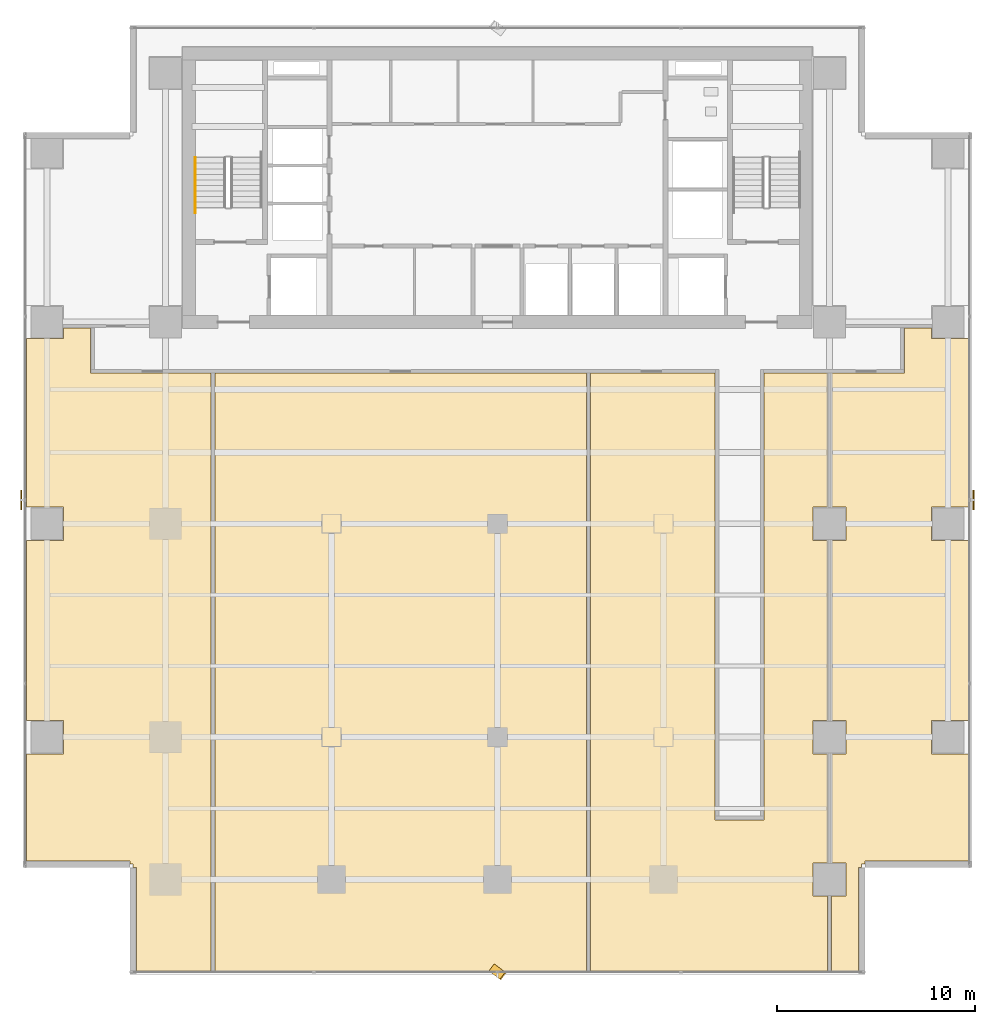
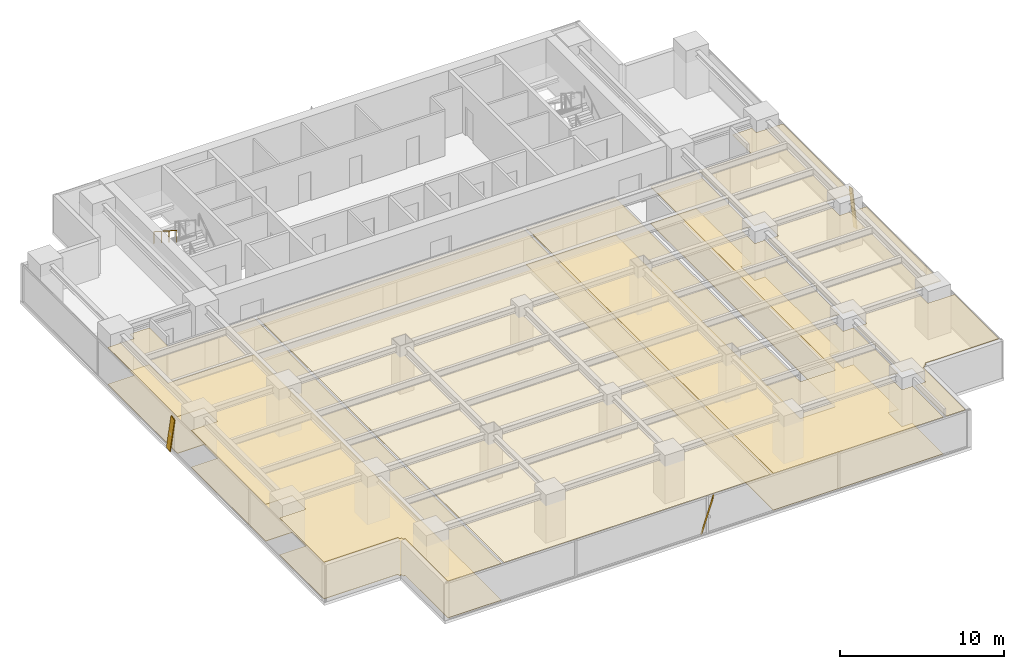
# One storey, part 23 of 27: 6 coverings, 3 shading devices, 1 railing.
"""IFC4 building model written with IfcOpenShell, lengths in metres."""

from ifc_helpers import new_model, si_unit, direction, frame, origin, origin_2d, place, context, subcontext, project, spatial, polyline, rectangle, outline, extrude, source, transform, mapped, material, layer, layer_set, material_profile, profile_set, type_object, element, save


model = new_model("IFC4")

# Units and contexts
model_context = context("Model", 3, precision=1e-05, world=origin(), true_north=direction((0.0, 1.0)))
body_context = subcontext(model_context, "Body", "Model", "MODEL_VIEW")
ifc_project = project(units=[si_unit("LENGTHUNIT", "METRE"), si_unit("AREAUNIT", "SQUARE_METRE"), si_unit("VOLUMEUNIT", "CUBIC_METRE"), si_unit("PLANEANGLEUNIT", "RADIAN"), si_unit("MASSUNIT", "GRAM", prefix="KILO")], contexts=[model_context])

# Site, building, storey
site_placement = place(None, origin())
site = spatial("IfcSite", under=ifc_project, at=site_placement, CompositionType="ELEMENT")
building_placement = place(site_placement, origin())
building = spatial("IfcBuilding", under=site, at=building_placement, Name="Sumidabori Civic Tower", CompositionType="ELEMENT")
storey_placement = place(building_placement, frame((0.0, 0.0, 156.800048828125)))
storey = spatial("IfcBuildingStorey", under=building, at=storey_placement, Name="L40", CompositionType="ELEMENT", Elevation=156.800048828125)

# Coverings
ifc_material_1 = material(Name="Perforated Timber Acoustic Ceiling", Category="wood")
ifc_layer_1 = layer(ifc_material_1, 0.044921875, Name="Perforated Timber Acoustic Ceiling")
ifc_layer_set_1 = layer_set([ifc_layer_1], Name="Perforated Timber Acoustic Ceiling")
covering_type_1 = type_object("IfcCoveringType", Name="CV-CEIL-AC2", PredefinedType="CEILING", material=ifc_layer_set_1)
covering_1_placement = place(storey_placement, frame((0.0, 0.0, 2.72998046875)))
element("IfcCovering", 1, at=covering_1_placement, inside=storey, type_object=covering_type_1, Name="Room Acoustic Ceiling L40-02", PredefinedType="CEILING", context=body_context, shape_type="SweptSolid", body=[
    extrude(outline(polyline([(18.27197265625, -22.6298828125), (16.902587890625, -22.6298828125), (16.902587890625, -18.840087890625), (17.639892578125, -18.840087890625), (17.639892578125, -17.159912109375), (16.902587890625, -17.159912109375), (16.902587890625, -11.639892578125), (17.639892578125, -11.639892578125), (17.639892578125, -9.9599609375), (16.902587890625, -9.9599609375), (16.902587890625, -0.840087890625), (17.639892578125, -0.840087890625), (17.639892578125, 0.840087890625), (16.902587890625, 0.840087890625), (16.902587890625, 7.614990234375), (20.5673828125, 7.614990234375), (20.5849609375, 7.619384765625), (20.5849609375, 9.8974609375), (21.9599609375, 9.8974609375), (21.9599609375, 9.360107421875), (23.830078125, 9.360107421875), (23.830078125, 0.840087890625), (21.9599609375, 0.840087890625), (21.9599609375, -0.840087890625), (23.830078125, -0.840087890625), (23.830078125, -9.9599609375), (21.9599609375, -9.9599609375), (21.9599609375, -11.639892578125), (23.830078125, -11.639892578125), (23.830078125, -17.072021484375), (18.592041015625, -17.072021484375), (18.592041015625, -17.22998046875), (18.429931640625, -17.22998046875), (18.429931640625, -17.39208984375), (18.27197265625, -17.39208984375), (18.27197265625, -22.6298828125)])), origin(), (0.0, 0.0, 1.0), 0.044921875),
])
covering_2_placement = place(storey_placement, frame((0.0, 0.0, 2.72998046875)))
element("IfcCovering", 2, at=covering_2_placement, inside=storey, type_object=covering_type_1, Name="Room Acoustic Ceiling L40-03", PredefinedType="CEILING", context=body_context, shape_type="SweptSolid", body=[
    extrude(outline(polyline([(-23.830078125, -0.840087890625), (-21.9599609375, -0.840087890625), (-21.9599609375, 0.840087890625), (-23.830078125, 0.840087890625), (-23.830078125, 9.360107421875), (-21.9599609375, 9.360107421875), (-21.9599609375, 9.8974609375), (-20.5849609375, 9.8974609375), (-20.5849609375, 7.619384765625), (-20.5673828125, 7.614990234375), (-14.50244140625, 7.614990234375), (-14.50244140625, -22.6298828125), (-18.27197265625, -22.6298828125), (-18.27197265625, -17.39208984375), (-18.429931640625, -17.39208984375), (-18.429931640625, -17.22998046875), (-18.592041015625, -17.22998046875), (-18.592041015625, -17.072021484375), (-23.830078125, -17.072021484375), (-23.830078125, -11.639892578125), (-21.9599609375, -11.639892578125), (-21.9599609375, -9.9599609375), (-23.830078125, -9.9599609375), (-23.830078125, -0.840087890625)])), origin(), (0.0, 0.0, 1.0), 0.044921875),
])
covering_3_placement = place(storey_placement, frame((0.0, 0.0, 2.72998046875)))
element("IfcCovering", 3, at=covering_3_placement, inside=storey, type_object=covering_type_1, Name="Room Acoustic Ceiling L40-04", PredefinedType="CEILING", context=body_context, shape_type="SweptSolid", body=[
    extrude(outline(polyline([(-14.297607421875, 7.614990234375), (4.49755859375, 7.614990234375), (4.49755859375, -22.6298828125), (-14.297607421875, -22.6298828125), (-14.297607421875, 7.614990234375)])), origin(), (0.0, 0.0, 1.0), 0.044921875),
])
covering_4_placement = place(storey_placement, frame((0.0, 0.0, 2.72998046875)))
element("IfcCovering", 4, at=covering_4_placement, inside=storey, type_object=covering_type_1, Name="Room Acoustic Ceiling L40-05", PredefinedType="CEILING", context=body_context, shape_type="SweptSolid", body=[
    extrude(outline(polyline([(4.702392578125, -22.6298828125), (4.702392578125, 7.614990234375), (11.014892578125, 7.614990234375), (11.014892578125, -14.985107421875), (13.485107421875, -14.985107421875), (13.485107421875, 7.614990234375), (16.697509765625, 7.614990234375), (16.697509765625, 0.840087890625), (15.9599609375, 0.840087890625), (15.9599609375, -0.840087890625), (16.697509765625, -0.840087890625), (16.697509765625, -9.9599609375), (15.9599609375, -9.9599609375), (15.9599609375, -11.639892578125), (16.697509765625, -11.639892578125), (16.697509765625, -17.159912109375), (15.9599609375, -17.159912109375), (15.9599609375, -18.840087890625), (16.697509765625, -18.840087890625), (16.697509765625, -22.6298828125), (4.702392578125, -22.6298828125)])), origin(), (0.0, 0.0, 1.0), 0.044921875),
])
ifc_material_2 = material(Name="Honed Terrazzo Tile Flooring")
ifc_layer_2 = layer(ifc_material_2, 0.030029296875, Name="Honed Terrazzo Tile Flooring")
ifc_layer_set_2 = layer_set([ifc_layer_2], Name="Honed Terrazzo Tile Flooring")
covering_type_2 = type_object("IfcCoveringType", Name="CV-FLR-TER", PredefinedType="FLOORING", material=ifc_layer_set_2)
covering_5_placement = place(storey_placement, origin())
element("IfcCovering", 5, at=covering_5_placement, inside=storey, type_object=covering_type_2, Name="Room Terrazzo Floor L40-03", PredefinedType="FLOORING", context=body_context, shape_type="SweptSolid", body=[
    extrude(outline(polyline([(-23.830078125, -0.840087890625), (-21.9599609375, -0.840087890625), (-21.9599609375, 0.840087890625), (-23.830078125, 0.840087890625), (-23.830078125, 9.360107421875), (-21.9599609375, 9.360107421875), (-21.9599609375, 9.8974609375), (-20.5849609375, 9.8974609375), (-20.5849609375, 7.619384765625), (-20.5673828125, 7.614990234375), (-14.50244140625, 7.614990234375), (-14.50244140625, -22.6298828125), (-18.27197265625, -22.6298828125), (-18.27197265625, -17.39208984375), (-18.429931640625, -17.39208984375), (-18.429931640625, -17.22998046875), (-18.592041015625, -17.22998046875), (-18.592041015625, -17.072021484375), (-23.830078125, -17.072021484375), (-23.830078125, -11.639892578125), (-21.9599609375, -11.639892578125), (-21.9599609375, -9.9599609375), (-23.830078125, -9.9599609375), (-23.830078125, -0.840087890625)])), origin(), (0.0, 0.0, 1.0), 0.030029296875),
])
covering_6_placement = place(storey_placement, origin())
element("IfcCovering", 6, at=covering_6_placement, inside=storey, type_object=covering_type_2, Name="Room Terrazzo Floor L40-05", PredefinedType="FLOORING", context=body_context, shape_type="SweptSolid", body=[
    extrude(outline(polyline([(4.702392578125, -22.6298828125), (4.702392578125, 7.614990234375), (11.014892578125, 7.614990234375), (11.014892578125, -14.985107421875), (13.485107421875, -14.985107421875), (13.485107421875, 7.614990234375), (16.697509765625, 7.614990234375), (16.697509765625, 0.840087890625), (15.9599609375, 0.840087890625), (15.9599609375, -0.840087890625), (16.697509765625, -0.840087890625), (16.697509765625, -9.9599609375), (15.9599609375, -9.9599609375), (15.9599609375, -11.639892578125), (16.697509765625, -11.639892578125), (16.697509765625, -17.159912109375), (15.9599609375, -17.159912109375), (15.9599609375, -18.840087890625), (16.697509765625, -18.840087890625), (16.697509765625, -22.6298828125), (4.702392578125, -22.6298828125)])), origin(), (0.0, 0.0, 1.0), 0.030029296875),
])

# Railing
ifc_material_3 = material(Name="Stainless Steel Hairline Finish", Category="steel")
railing_type = type_object("IfcRailingType", Name="RL-HANDRAIL", PredefinedType="HANDRAIL", material=ifc_material_3)
railing_placement = place(storey_placement, frame((-15.2900390625, 18.52001953125, 1.97998046875)))
element("IfcRailing", 7, at=railing_placement, inside=storey, type_object=railing_type, Name="L40 ST-1 stair handrail 2", PredefinedType="HANDRAIL", context=body_context, shape_type="SweptSolid", body=[
    extrude(rectangle(XDim=0.048095703125, YDim=0.048095703125, at=origin_2d()), frame((0.0, 0.0, 0.8759765625), z_axis=(0.0, -0.840675598268, 0.541539046124), x_axis=(1.0, 0.0, 0.0)), (0.0, 0.0, 1.0), 3.330810546875),
    extrude(rectangle(XDim=0.0419921875, YDim=0.0419921875, at=origin_2d()), origin(), (0.0, 0.0, 1.0), 0.851806640625),
    extrude(rectangle(XDim=0.0419921875, YDim=0.0419921875, at=origin_2d()), frame((0.0, -0.933349609375, 0.601318359375)), (0.0, 0.0, 1.0), 0.851806640625),
    extrude(rectangle(XDim=0.0419921875, YDim=0.0419921875, at=origin_2d()), frame((0.0, -1.86669921875, 1.202392578125)), (0.0, 0.0, 1.0), 0.851806640625),
    extrude(rectangle(XDim=0.0419921875, YDim=0.0419921875, at=origin_2d()), frame((0.0, -2.800048828125, 1.8037109375)), (0.0, 0.0, 1.0), 0.851806640625),
])

# Shading devices
ifc_material_4 = material(Name="Anodised Bronze Aluminium AW-6063-T6", Category="aluminium")
ifc_material_profile = material_profile(ifc_material_4, rectangle(XDim=0.06005859375, YDim=0.449951171875, at=origin_2d()), Name="BRONZE FIN 450x60")
ifc_profile_set = profile_set([ifc_material_profile], Name="Anodised Bronze Aluminium AW-6063-T6")
shading_device_type = type_object("IfcShadingDeviceType", Name="SH-FIN-450", PredefinedType="USERDEFINED", material=ifc_profile_set)
shared_shape_1 = source(origin(), body_context, "Body", "SweptSolid", [
    extrude(rectangle(XDim=0.06005859375, YDim=0.449951171875, at=origin_2d()), origin(), (0.0, 0.0, 1.0), 2.789306640625),
])
shading_device_placement = place(storey_placement, frame((-0.280029296875, -22.469970703125, 0.02001953125), z_axis=(0.200794136335, -0.150551837182, 0.967995794998), x_axis=(0.774477654896, -0.580689436103, -0.250966413819)))
element("IfcShadingDevice", 8, at=shading_device_placement, inside=storey, type_object=shading_device_type, Name="Bronze Anodised Diagonal Fin L40-02", ObjectType="FIN", PredefinedType="USERDEFINED", context=body_context, shape_type="MappedRepresentation", body=[
    mapped(shared_shape_1, transform((0.0, 0.0, 0.0), x_axis=(1.0, 0.0, 0.0), y_axis=(0.0, 1.0, 0.0), z_axis=(0.0, 0.0, 1.0), scale=1.0)),
])
shared_shape_2 = source(origin(), body_context, "Body", "SweptSolid", [
    extrude(rectangle(XDim=0.06005859375, YDim=0.449951171875, at=origin_2d()), origin(), (0.0, 0.0, 1.0), 2.75732421875),
])
for number, where, z_axis, x_axis, name in (
    (9, (24.090087890625, 0.919921875, 0.02001953125), (0.0, 0.203109150817, 0.979156102393), (-1.0, 0.0, 0.0), "Bronze Anodised Diagonal Fin L40-02"),
    (10, (-24.090087890625, 1.47998046875, 0.02001953125), (0.0, -0.203109150817, 0.979156102393), (-1.0, 0.0, 0.0), "Bronze Anodised Diagonal Fin L40-02"),
):
    element("IfcShadingDevice", number, at=place(storey_placement, frame(where, z_axis=z_axis, x_axis=x_axis)), inside=storey, type_object=shading_device_type, Name=name, ObjectType="FIN", PredefinedType="USERDEFINED", context=body_context, shape_type="MappedRepresentation", body=[
        mapped(shared_shape_2, transform((0.0, 0.0, 0.0), x_axis=(1.0, 0.0, 0.0), y_axis=(0.0, 1.0, 0.0), z_axis=(0.0, 0.0, 1.0), scale=1.0)),
    ])

save(model, "model.ifc")
